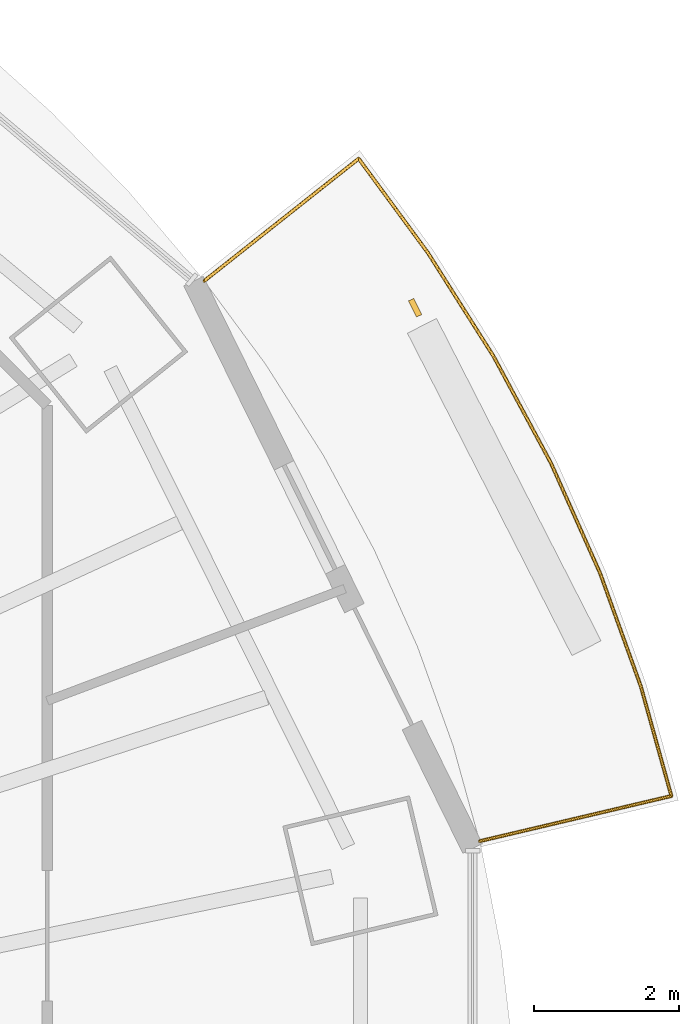
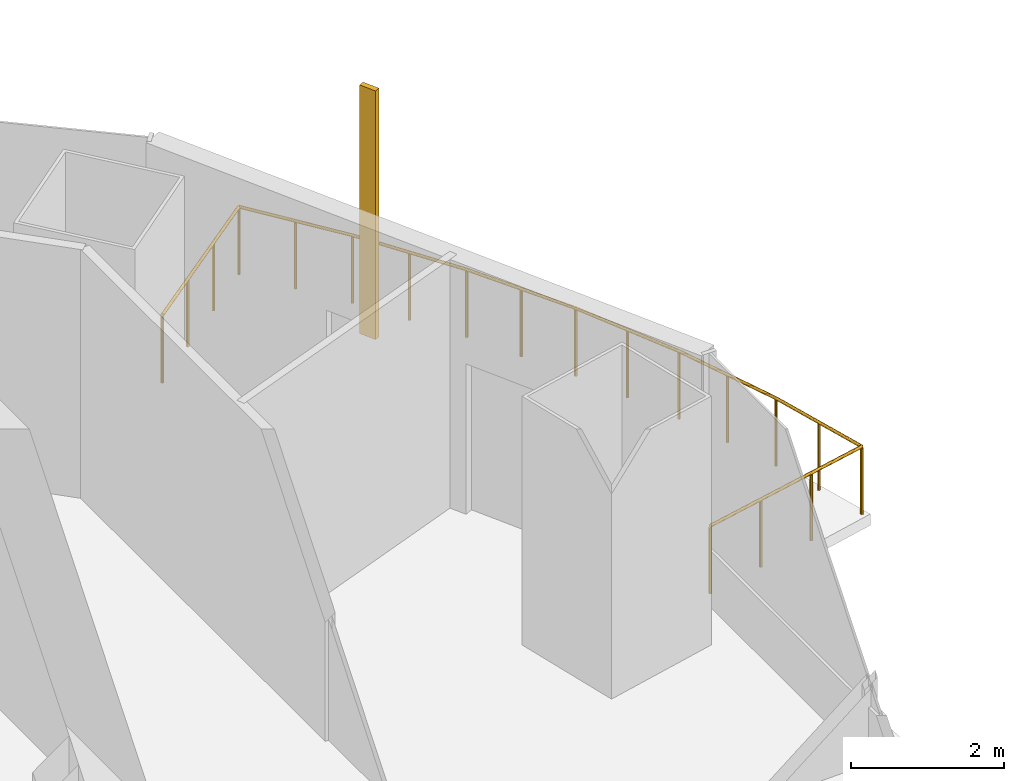
# One storey, part 15 of 16: 1 railing, 1 shading device.
"""IFC4 building model written with IfcOpenShell, lengths in metres."""

from ifc_helpers import new_model, si_unit, direction, frame, origin, origin_2d, place, context, subcontext, project, spatial, rectangle, circle, extrude, material, material_profile, profile_set, type_object, element, save


model = new_model("IFC4")

# Units and contexts
model_context = context("Model", 3, precision=1e-05, world=origin(), true_north=direction((0.0, 1.0)))
body_context = subcontext(model_context, "Body", "Model", "MODEL_VIEW")
ifc_project = project(units=[si_unit("LENGTHUNIT", "METRE"), si_unit("AREAUNIT", "SQUARE_METRE"), si_unit("VOLUMEUNIT", "CUBIC_METRE"), si_unit("PLANEANGLEUNIT", "RADIAN"), si_unit("MASSUNIT", "GRAM", prefix="KILO")], contexts=[model_context])

# Site, building, storey
site_placement = place(None, origin())
site = spatial("IfcSite", under=ifc_project, at=site_placement, CompositionType="ELEMENT")
building_placement = place(site_placement, origin())
building = spatial("IfcBuilding", under=site, at=building_placement, Name="Marenthal Gate Tower", CompositionType="ELEMENT")
storey_placement = place(building_placement, frame((0.0, 0.0, 371.64990234375)))
storey = spatial("IfcBuildingStorey", under=building, at=storey_placement, Name="L84", CompositionType="ELEMENT", Elevation=371.64990234375)

# Railing
ifc_material_1 = material(Name="Stainless steel", Category="steel")
railing_type = type_object("IfcRailingType", Name="Balcony guard 1100", PredefinedType="GUARDRAIL", material=ifc_material_1)
railing_placement = place(storey_placement, frame((21.2197265625, 12.98486328125, 0.0)))
element("IfcRailing", 1, at=railing_placement, inside=storey, type_object=railing_type, Name="Balcony guard L84 bay 1", PredefinedType="GUARDRAIL", context=body_context, shape_type="SweptSolid", body=[
    extrude(circle(Radius=0.02392578125, at=origin_2d()), frame((0.0, 0.0, 1.076171875), z_axis=(0.783892755075, 0.620723871548, -0.014629553364), x_axis=(-0.620790307063, 0.783976654408, 0.0)), (0.0, 0.0, 1.0), 2.72021484375),
    extrude(circle(Radius=0.02392578125, at=origin_2d()), frame((2.13232421875, 1.6884765625, 1.0361328125), z_axis=(0.592278211016, -0.805733529621, 0.0), x_axis=(0.805733529621, 0.592278211016, 0.0)), (0.0, 0.0, 1.0), 1.61962890625),
    extrude(circle(Radius=0.02392578125, at=origin_2d()), frame((3.091552734375, 0.383544921875, 1.0361328125), z_axis=(0.535526927238, -0.844518152678, 0.0), x_axis=(0.844518152678, 0.535526927238, 0.0)), (0.0, 0.0, 1.0), 1.687744140625),
    extrude(circle(Radius=0.02392578125, at=origin_2d()), frame((3.995361328125, -1.041748046875, 1.0361328125), z_axis=(0.473457232822, -0.880816807679, 0.0), x_axis=(0.880816807679, 0.473457232822, 0.0)), (0.0, 0.0, 1.0), 1.677001953125),
    extrude(circle(Radius=0.02392578125, at=origin_2d()), frame((4.789306640625, -2.518798828125, 1.0361328125), z_axis=(0.407605060016, -0.913158318721, 0.0), x_axis=(0.913158318721, 0.407605060016, 0.0)), (0.0, 0.0, 1.0), 1.66748046875),
    extrude(circle(Radius=0.02392578125, at=origin_2d()), frame((5.468994140625, -4.04150390625, 1.0361328125), z_axis=(0.338610035627, -0.940926800433, 0.0), x_axis=(0.940926800433, 0.338610035627, 0.0)), (0.0, 0.0, 1.0), 1.658935546875),
    extrude(circle(Radius=0.02392578125, at=origin_2d()), frame((6.03076171875, -5.6025390625, 1.0361328125), z_axis=(0.268420452005, -0.963301853494, 0.0), x_axis=(0.963301853494, 0.268420452005, 0.0)), (0.0, 0.0, 1.0), 1.572509765625),
    extrude(circle(Radius=0.02392578125, at=origin_2d()), frame((6.452880859375, -7.117431640625, 1.0361328125), z_axis=(-0.973223477667, -0.229394984223, 0.014628866365), x_axis=(0.229419533855, -0.973327631112, 0.0)), (0.0, 0.0, 1.0), 2.72021484375),
    extrude(circle(Radius=0.02099609375, at=origin_2d()), origin(), (0.0, 0.0, 1.0), 1.052001953125),
    extrude(circle(Radius=0.02099609375, at=origin_2d()), frame((0.710693359375, 0.562744140625, -0.01318359375)), (0.0, 0.0, 1.0), 1.052001953125),
    extrude(circle(Radius=0.02099609375, at=origin_2d()), frame((1.421630859375, 1.125732421875, -0.026611328125)), (0.0, 0.0, 1.0), 1.052001953125),
    extrude(circle(Radius=0.02099609375, at=origin_2d()), frame((2.13232421875, 1.6884765625, -0.039794921875)), (0.0, 0.0, 1.0), 1.052001953125),
    extrude(circle(Radius=0.02099609375, at=origin_2d()), frame((2.61181640625, 1.0361328125, -0.039794921875)), (0.0, 0.0, 1.0), 1.052001953125),
    extrude(circle(Radius=0.02099609375, at=origin_2d()), frame((3.091552734375, 0.383544921875, -0.039794921875)), (0.0, 0.0, 1.0), 1.052001953125),
    extrude(circle(Radius=0.02099609375, at=origin_2d()), frame((3.54345703125, -0.3291015625, -0.039794921875)), (0.0, 0.0, 1.0), 1.052001953125),
    extrude(circle(Radius=0.02099609375, at=origin_2d()), frame((3.995361328125, -1.041748046875, -0.039794921875)), (0.0, 0.0, 1.0), 1.052001953125),
    extrude(circle(Radius=0.02099609375, at=origin_2d()), frame((4.392333984375, -1.7802734375, -0.039794921875)), (0.0, 0.0, 1.0), 1.052001953125),
    extrude(circle(Radius=0.02099609375, at=origin_2d()), frame((4.789306640625, -2.518798828125, -0.039794921875)), (0.0, 0.0, 1.0), 1.052001953125),
    extrude(circle(Radius=0.02099609375, at=origin_2d()), frame((5.129150390625, -3.2802734375, -0.039794921875)), (0.0, 0.0, 1.0), 1.052001953125),
    extrude(circle(Radius=0.02099609375, at=origin_2d()), frame((5.468994140625, -4.04150390625, -0.039794921875)), (0.0, 0.0, 1.0), 1.052001953125),
    extrude(circle(Radius=0.02099609375, at=origin_2d()), frame((5.75, -4.822021484375, -0.039794921875)), (0.0, 0.0, 1.0), 1.052001953125),
    extrude(circle(Radius=0.02099609375, at=origin_2d()), frame((6.03076171875, -5.6025390625, -0.039794921875)), (0.0, 0.0, 1.0), 1.052001953125),
    extrude(circle(Radius=0.02099609375, at=origin_2d()), frame((6.24169921875, -6.35986328125, -0.039794921875)), (0.0, 0.0, 1.0), 1.052001953125),
    extrude(circle(Radius=0.02099609375, at=origin_2d()), frame((6.452880859375, -7.117431640625, -0.039794921875)), (0.0, 0.0, 1.0), 1.052001953125),
    extrude(circle(Radius=0.02099609375, at=origin_2d()), frame((5.5703125, -7.325439453125, -0.026611328125)), (0.0, 0.0, 1.0), 1.052001953125),
    extrude(circle(Radius=0.02099609375, at=origin_2d()), frame((4.68798828125, -7.533447265625, -0.01318359375)), (0.0, 0.0, 1.0), 1.052001953125),
    extrude(circle(Radius=0.02099609375, at=origin_2d()), frame((3.805419921875, -7.741455078125, 0.0)), (0.0, 0.0, 1.0), 1.052001953125),
])

# Shading device
ifc_material_2 = material(Name="Terracotta", Category="masonry")
ifc_material_profile = material_profile(ifc_material_2, rectangle(XDim=0.25, YDim=0.080078125, at=origin_2d()), Name="Terracotta baguette 250x80")
ifc_profile_set = profile_set([ifc_material_profile], Name="Terracotta")
shading_device_type = type_object("IfcShadingDeviceType", Name="Terracotta BAGUETTE SCREEN 250x80", PredefinedType="USERDEFINED", material=ifc_profile_set)
shading_device_placement = place(storey_placement, frame((24.13134765625, 12.61376953125, -0.039794921875), z_axis=(0.0, 0.0, 1.0), x_axis=(-0.44093893362, 0.897537106096, 0.0)))
element("IfcShadingDevice", 2, at=shading_device_placement, inside=storey, type_object=shading_device_type, Name="Terracotta BAGUETTE L84 bay 1R", ObjectType="BAGUETTE SCREEN", PredefinedType="USERDEFINED", context=body_context, shape_type="SweptSolid", body=[
    extrude(rectangle(XDim=0.25, YDim=0.080078125, at=origin_2d()), origin(), (0.0, 0.0, 1.0), 3.969970703125),
])

save(model, "model.ifc")
